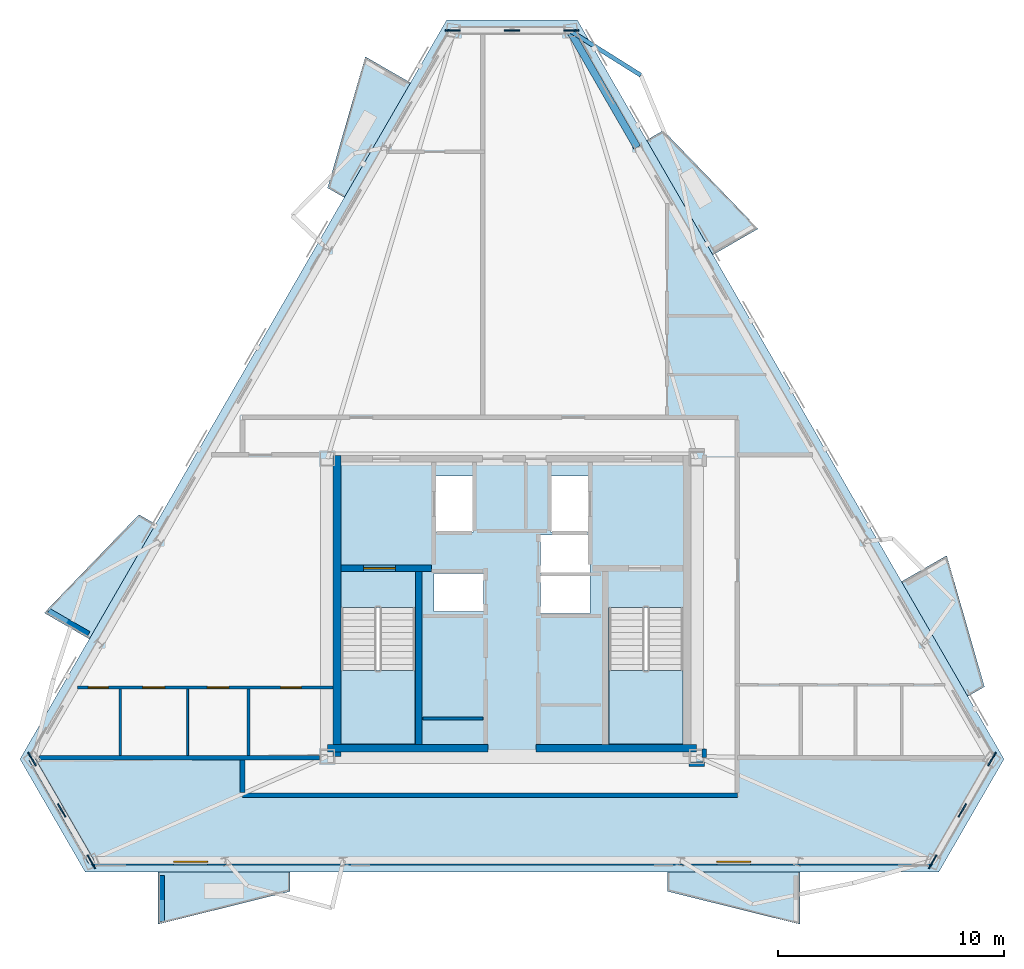
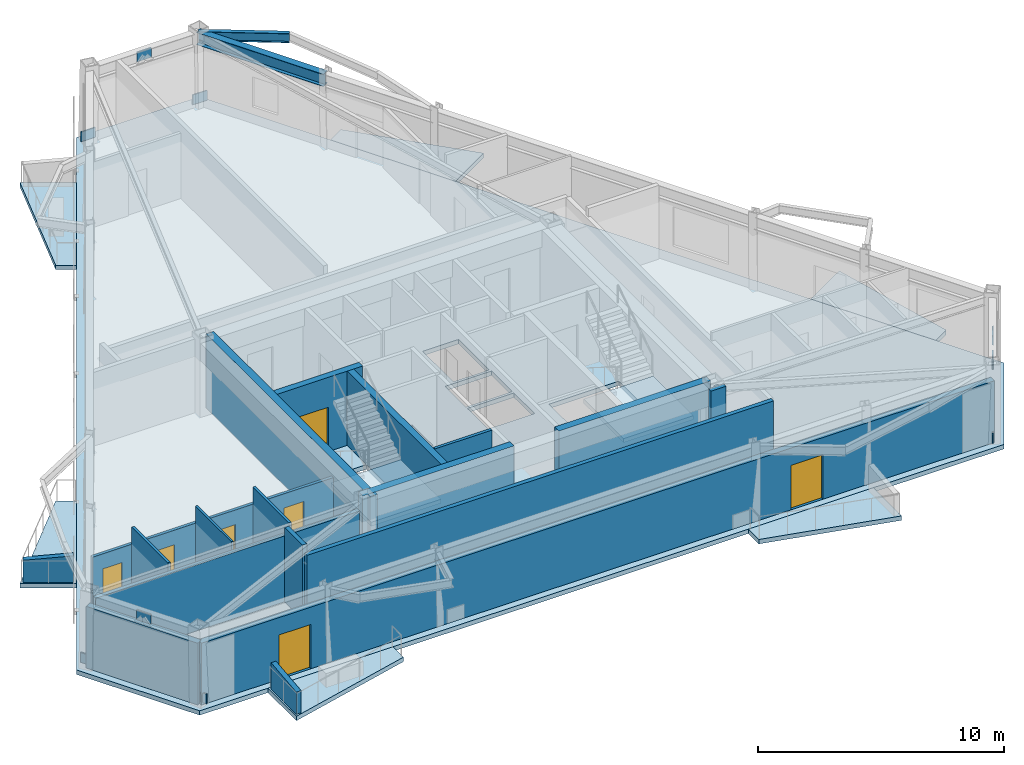
# One storey, part 2 of 9: 19 walls, 9 plates, 9 slabs, 7 doors, 2 beams, 7 openings, 2 elements without a shape of their own.
"""IFC4 building model written with IfcOpenShell, lengths in metres."""

from ifc_helpers import new_model, si_unit, direction, frame, frame_2d, origin, origin_2d, place, context, subcontext, project, spatial, polyline, rectangle, i_section, outline, extrude, material, layer, layer_set, material_profile, profile_set, type_object, element, fill, aggregate, save


model = new_model("IFC4")

# Units and contexts
model_context = context("Model", 3, precision=1e-05, world=origin(), true_north=direction((0.0, 1.0)))
body_context = subcontext(model_context, "Body", "Model", "MODEL_VIEW")
ifc_project = project(units=[si_unit("LENGTHUNIT", "METRE"), si_unit("AREAUNIT", "SQUARE_METRE"), si_unit("VOLUMEUNIT", "CUBIC_METRE"), si_unit("PLANEANGLEUNIT", "RADIAN"), si_unit("MASSUNIT", "GRAM", prefix="KILO")], contexts=[model_context])

# Site, building, storey
site_placement = place(None, origin())
site = spatial("IfcSite", under=ifc_project, at=site_placement, CompositionType="ELEMENT")
building_placement = place(site_placement, origin())
building = spatial("IfcBuilding", under=site, at=building_placement, Name="Oramaril Tower", CompositionType="ELEMENT")
storey_placement = place(building_placement, frame((0.0, 0.0, 257.699951171875)))
storey = spatial("IfcBuildingStorey", under=building, at=storey_placement, Name="L68", CompositionType="ELEMENT", Elevation=257.699951171875)

# Beams
ifc_material_1 = material(Name="Steel ASTM A572 Gr 50", Category="steel")
ifc_material_profile_1 = material_profile(ifc_material_1, i_section(OverallWidth=0.19091796875, OverallDepth=0.45703125, WebThickness=0.009033203125, FlangeThickness=0.014404296875, at=origin_2d()), Name="W18X50")
ifc_profile_set_1 = profile_set([ifc_material_profile_1], Name="Steel ASTM A572 Gr 50")
beam_type_1 = type_object("IfcBeamType", Name="BT-BB1", PredefinedType="BEAM", material=ifc_profile_set_1)
beam_1_placement = place(storey_placement, frame((40.052001953125, 43.05078125, 3.45166015625), z_axis=(0.846798752878, -0.531913406604, 0.0), x_axis=(0.531913406604, 0.846798752878, 0.0)))
element("IfcBeam", 1, at=beam_1_placement, inside=storey, type_object=beam_type_1, Name="L68 Balcony Column-Framed Cantilever 04.2", PredefinedType="BEAM", context=body_context, shape_type="SweptSolid", body=[
    extrude(i_section(OverallWidth=0.19091796875, OverallDepth=0.45703125, WebThickness=0.009033203125, FlangeThickness=0.014404296875, at=origin_2d()), origin(), (0.0, 0.0, 1.0), 3.699951171875),
])
ifc_material_2 = material(Name="Steel ASTM A572 Gr 50", Category="steel")
ifc_material_profile_2 = material_profile(ifc_material_2, i_section(OverallWidth=0.324951171875, OverallDepth=0.612060546875, WebThickness=0.0126953125, FlangeThickness=0.01904296875, at=origin_2d()), Name="W24X104")
ifc_profile_set_2 = profile_set([ifc_material_profile_2], Name="Steel ASTM A572 Gr 50")
beam_type_2 = type_object("IfcBeamType", Name="BT-SP5", PredefinedType="SPANDREL", material=ifc_profile_set_2)
beam_2_placement = place(storey_placement, frame((43.028076171875, 37.896240234375, 3.3740234375), z_axis=(-0.500012421297, 0.866018232227, 0.0), x_axis=(-0.866018232227, -0.500012421297, 0.0)))
element("IfcBeam", 2, at=beam_2_placement, inside=storey, type_object=beam_type_2, Name="L68 Perimeter Spandrel 12", PredefinedType="SPANDREL", context=body_context, shape_type="SweptSolid", body=[
    extrude(i_section(OverallWidth=0.324951171875, OverallDepth=0.612060546875, WebThickness=0.0126953125, FlangeThickness=0.01904296875, at=origin_2d()), origin(), (0.0, 0.0, 1.0), 5.951904296875),
])

# Plates
ifc_material_3 = material(Name="Steel ASTM A572 Gr 50", Category="steel")
ifc_layer_1 = layer(ifc_material_3, 0.06005859375)
ifc_layer_set_1 = layer_set([ifc_layer_1], Name="PLT-G60")
plate_type = type_object("IfcPlateType", Name="PLT-G60", PredefinedType="USERDEFINED", material=ifc_layer_set_1)
for number, where, z_axis, x_axis, name in (
    (3, (17.615966796875, 8.619873046875, 3.134033203125), (0.0, 0.0, 1.0), (0.500009068969, -0.866020167749, 0.0), "L68 Chevron Brace Gusset Plate BN-1"),
    (4, (16.307373046875, 10.885986328125, 0.10009765625), (0.0, 0.0, 1.0), (0.500009068969, -0.866020167749, 0.0), "L68 Chevron Brace Gusset Plate BN-1"),
    (5, (18.92431640625, 6.353515625, 0.10009765625), (0.0, 0.0, 1.0), (0.500009068969, -0.866020167749, 0.0), "L68 Chevron Brace Gusset Plate BN-1"),
    (6, (57.384033203125, 8.619873046875, 3.134033203125), (0.0, 0.0, 1.0), (0.500009068969, 0.866020167749, 0.0), "L68 Chevron Brace Gusset Plate BN-1"),
    (7, (56.07568359375, 6.353515625, 0.10009765625), (0.0, 0.0, 1.0), (0.500009068969, 0.866020167749, 0.0), "L68 Chevron Brace Gusset Plate BN-1"),
    (8, (58.692626953125, 10.885986328125, 0.10009765625), (0.0, 0.0, 1.0), (0.500009068969, 0.866020167749, 0.0), "L68 Chevron Brace Gusset Plate BN-1"),
    (9, (37.5, 43.060302734375, 3.134033203125), (0.0, 0.0, 1.0), (-1.0, 0.0, 0.0), "L68 Chevron Brace Gusset Plate BN-1"),
    (10, (40.11669921875, 43.060302734375, 0.10009765625), (0.0, 0.0, 1.0), (-1.0, 0.0, 0.0), "L68 Chevron Brace Gusset Plate BN-1"),
    (11, (34.88330078125, 43.060302734375, 0.10009765625), (0.0, 0.0, 1.0), (-1.0, 0.0, 0.0), "L68 Chevron Brace Gusset Plate BN-1"),
):
    element("IfcPlate", number, at=place(storey_placement, frame(where, z_axis=z_axis, x_axis=x_axis)), inside=storey, type_object=plate_type, Name=name, ObjectType="GUSSET", PredefinedType="USERDEFINED", context=body_context, shape_type="SweptSolid", body=[
        extrude(rectangle(XDim=0.679931640625, YDim=0.06005859375, at=origin_2d()), origin(), (0.0, 0.0, 1.0), 0.47998046875),
    ])

# Slabs
ifc_material_4 = material(Name="Concrete C40/50", Category="concrete")
ifc_layer_2 = layer(ifc_material_4, 0.199951171875)
ifc_layer_set_2 = layer_set([ifc_layer_2], Name="SLT-BAL20")
slab_type_1 = type_object("IfcSlabType", Name="SLT-BAL20", PredefinedType="FLOOR", material=ifc_layer_set_2)
slab_1_placement = place(storey_placement, frame((0.0, 0.0, -0.219970703125)))
element("IfcSlab", 12, at=slab_1_placement, inside=storey, type_object=slab_type_1, Name="L68 Cantilevered Balcony Slab L68-BAL-S2", PredefinedType="FLOOR", context=body_context, shape_type="SweptSolid", body=[
    extrude(outline(polyline([(44.3662109375, 5.8955078125), (50.21630859375, 5.8955078125), (50.21630859375, 3.593505859375), (44.3662109375, 5.043701171875), (44.3662109375, 5.8955078125)])), origin(), (0.0, 0.0, 1.0), 0.219970703125),
])
slab_2_placement = place(storey_placement, frame((0.0, 0.0, -0.219970703125)))
element("IfcSlab", 13, at=slab_2_placement, inside=storey, type_object=slab_type_1, Name="L68 Cantilevered Balcony Slab L68-BAL-NE1", PredefinedType="FLOOR", context=body_context, shape_type="SweptSolid", body=[
    extrude(outline(polyline([(57.6220703125, 13.656494140625), (54.697021484375, 18.72265625), (56.690673828125, 19.87353515625), (58.35986328125, 14.08251953125), (57.6220703125, 13.656494140625)])), origin(), (0.0, 0.0, 1.0), 0.219970703125),
])
slab_3_placement = place(storey_placement, frame((0.0, 0.0, -0.219970703125)))
element("IfcSlab", 14, at=slab_3_placement, inside=storey, type_object=slab_type_1, Name="L68 Cantilevered Balcony Slab L68-BAL-NW2", PredefinedType="FLOOR", context=body_context, shape_type="SweptSolid", body=[
    extrude(outline(polyline([(21.765380859375, 21.255615234375), (18.84033203125, 16.189453125), (16.8466796875, 17.340576171875), (21.027587890625, 21.681640625), (21.765380859375, 21.255615234375)])), origin(), (0.0, 0.0, 1.0), 0.219970703125),
])
ifc_material_5 = material(Name="Concrete C50/60", Category="concrete")
ifc_layer_3 = layer(ifc_material_5, 0.219970703125)
ifc_layer_set_3 = layer_set([ifc_layer_3], Name="SLT-FLR22")
slab_type_2 = type_object("IfcSlabType", Name="SLT-FLR22", PredefinedType="FLOOR", material=ifc_layer_set_3)
slab_4_placement = place(storey_placement, frame((0.0, 0.0, -0.219970703125)))
element("IfcSlab", 15, at=slab_4_placement, inside=storey, type_object=slab_type_2, Name="L68 Structural Floor Slab", PredefinedType="FLOOR", context=body_context, shape_type="SweptSolid", body=[
    extrude(outline(polyline([(15.776123046875, 10.885986328125), (18.65869140625, 5.8935546875), (56.34130859375, 5.8935546875), (59.223876953125, 10.885986328125), (40.38232421875, 43.520263671875), (34.61767578125, 43.520263671875), (15.776123046875, 10.885986328125)]), holes=[polyline([(29.949951171875, 17.58935546875), (29.949951171875, 11.550048828125), (33.219970703125, 11.550048828125), (33.219970703125, 17.58935546875), (29.949951171875, 17.58935546875)]), polyline([(41.780029296875, 17.58935546875), (41.780029296875, 11.550048828125), (45.050048828125, 11.550048828125), (45.050048828125, 17.58935546875), (41.780029296875, 17.58935546875)]), polyline([(34.110107421875, 20.909912109375), (35.7900390625, 20.909912109375), (35.7900390625, 23.389892578125), (34.110107421875, 23.389892578125), (34.110107421875, 20.909912109375)]), polyline([(39.2099609375, 20.909912109375), (40.889892578125, 20.909912109375), (40.889892578125, 23.389892578125), (39.2099609375, 23.389892578125), (39.2099609375, 20.909912109375)]), polyline([(34.06005859375, 17.409912109375), (36.239990234375, 17.409912109375), (36.239990234375, 19.090087890625), (34.06005859375, 19.090087890625), (34.06005859375, 17.409912109375)]), polyline([(38.760009765625, 17.31005859375), (40.93994140625, 17.31005859375), (40.93994140625, 18.989990234375), (38.760009765625, 18.989990234375), (38.760009765625, 17.31005859375)]), polyline([(38.760009765625, 19.110107421875), (40.93994140625, 19.110107421875), (40.93994140625, 20.7900390625), (38.760009765625, 20.7900390625), (38.760009765625, 19.110107421875)])]), origin(), (0.0, 0.0, 1.0), 0.219970703125),
])

# Stair, slab
ifc_material_6 = material(Name="Concrete C50/60", Category="concrete")
stair_type = type_object("IfcStairType", Name="STT-DG-3900", PredefinedType="HALF_TURN_STAIR", material=ifc_material_6)
stair_1_placement = place(storey_placement, origin())
stair_1 = element("IfcStair", 16, at=stair_1_placement, inside=storey, type_object=stair_type, Name="L68 Protected PFP Exit Stair ST-1", PredefinedType="HALF_TURN_STAIR")
ifc_material_7 = material(Name="Concrete C50/60", Category="concrete")
ifc_layer_4 = layer(ifc_material_7, 0.199951171875)
ifc_layer_set_4 = layer_set([ifc_layer_4], Name="SLT-LND20")
slab_type_3 = type_object("IfcSlabType", Name="SLT-LND20", PredefinedType="LANDING", material=ifc_layer_set_4)
slab_5_placement = place(storey_placement, frame((0.0, 0.0, 1.75)))
slab_5 = element("IfcSlab", 17, at=slab_5_placement, type_object=slab_type_3, Name="ST-1 landing 1", PredefinedType="LANDING", context=body_context, shape_type="SweptSolid", body=[
    extrude(outline(polyline([(29.949951171875, 14.7900390625), (29.949951171875, 11.550048828125), (33.219970703125, 11.550048828125), (33.219970703125, 14.7900390625), (29.949951171875, 14.7900390625)])), origin(), (0.0, 0.0, 1.0), 0.199951171875),
])
aggregate(stair_1, [slab_5])

stair_2_placement = place(storey_placement, origin())
stair_2 = element("IfcStair", 18, at=stair_2_placement, inside=storey, type_object=stair_type, Name="L68 Protected PFP Exit Stair ST-2", PredefinedType="HALF_TURN_STAIR")
slab_6_placement = place(storey_placement, frame((0.0, 0.0, 1.75)))
slab_6 = element("IfcSlab", 19, at=slab_6_placement, type_object=slab_type_3, Name="ST-2 landing 1", PredefinedType="LANDING", context=body_context, shape_type="SweptSolid", body=[
    extrude(outline(polyline([(41.780029296875, 14.7900390625), (41.780029296875, 11.550048828125), (45.050048828125, 11.550048828125), (45.050048828125, 14.7900390625), (41.780029296875, 14.7900390625)])), origin(), (0.0, 0.0, 1.0), 0.199951171875),
])
aggregate(stair_2, [slab_6])

# Slabs
ifc_material_8 = material(Name="Concrete C40/50", Category="concrete")
ifc_layer_5 = layer(ifc_material_8, 0.18994140625)
ifc_layer_set_5 = layer_set([ifc_layer_5], Name="SLT-PLN19")
slab_type_4 = type_object("IfcSlabType", Name="SLT-PLN19", PredefinedType="FLOOR", material=ifc_layer_set_5)
slab_7_placement = place(storey_placement, frame((0.0, 0.0, -0.219970703125)))
element("IfcSlab", 20, at=slab_7_placement, inside=storey, type_object=slab_type_4, Name="L68 Tree Planter Balcony Slab L68-BAL-S1", PredefinedType="FLOOR", context=body_context, shape_type="SweptSolid", body=[
    extrude(outline(polyline([(21.858642578125, 5.8955078125), (27.708740234375, 5.8955078125), (27.708740234375, 5.043701171875), (21.858642578125, 3.593505859375), (21.858642578125, 5.8955078125)])), origin(), (0.0, 0.0, 1.0), 0.219970703125),
])
slab_8_placement = place(storey_placement, frame((0.0, 0.0, -0.219970703125)))
element("IfcSlab", 21, at=slab_8_placement, inside=storey, type_object=slab_type_4, Name="L68 Tree Planter Balcony Slab L68-BAL-NE2", PredefinedType="FLOOR", context=body_context, shape_type="SweptSolid", body=[
    extrude(outline(polyline([(46.3681640625, 33.148681640625), (43.443115234375, 38.21484375), (44.180908203125, 38.640869140625), (48.36181640625, 34.2998046875), (46.3681640625, 33.148681640625)])), origin(), (0.0, 0.0, 1.0), 0.219970703125),
])
slab_9_placement = place(storey_placement, frame((0.0, 0.0, -0.219970703125)))
element("IfcSlab", 22, at=slab_9_placement, inside=storey, type_object=slab_type_4, Name="L68 Tree Planter Balcony Slab L68-BAL-NW1", PredefinedType="FLOOR", context=body_context, shape_type="SweptSolid", body=[
    extrude(outline(polyline([(33.019287109375, 40.748046875), (30.09423828125, 35.681884765625), (29.3564453125, 36.10791015625), (31.025634765625, 41.89892578125), (33.019287109375, 40.748046875)])), origin(), (0.0, 0.0, 1.0), 0.219970703125),
])

# Wall
ifc_material_9 = material(Name="Warm Cream Limestone", Category="masonry")
ifc_layer_6 = layer(ifc_material_9, 0.2900390625)
ifc_layer_set_6 = layer_set([ifc_layer_6], Name="WT-EXT29")
wall_type_1 = type_object("IfcWallType", Name="WT-EXT29", PredefinedType="SOLIDWALL", material=ifc_layer_set_6)
wall_1_placement = place(storey_placement, frame((16.307373046875, 10.885986328125, 0.0), z_axis=(0.0, 0.0, 1.0), x_axis=(0.500017221754, -0.866015460572, 0.0)))
element("IfcWall", 23, at=wall_1_placement, inside=storey, type_object=wall_type_1, Name="L68 Tower Limestone Facade Wall 1M", PredefinedType="SOLIDWALL", context=body_context, shape_type="SweptSolid", body=[
    extrude(rectangle(XDim=5.233642578125, YDim=0.2900390625, at=frame_2d((2.61669921875, 0.0))), origin(), (0.0, 0.0, 1.0), 3.05810546875),
])

# Wall, openings, doors
wall_2_placement = place(storey_placement, frame((18.92431640625, 6.353515625, 0.0), z_axis=(0.0, 0.0, 1.0), x_axis=(1.0, 0.0, 0.0)))
wall_2 = element("IfcWall", 24, at=wall_2_placement, inside=storey, type_object=wall_type_1, Name="L68 Tower Limestone Facade Wall 2M", PredefinedType="SOLIDWALL", context=body_context, shape_type="SweptSolid", body=[
    extrude(rectangle(XDim=37.1513671875, YDim=0.2900390625, at=frame_2d((18.57568359375, 0.0))), origin(), (0.0, 0.0, 1.0), 3.05810546875),
])
opening_1_placement = place(wall_2_placement, frame((3.639404296875, 0.0, 0.0)))
opening_1 = element("IfcOpeningElement", 25, at=opening_1_placement, cuts=wall_2, Name="Opening D-L68-BAL-S1", PredefinedType="OPENING", context=body_context, shape_type="SweptSolid", body=[
    extrude(rectangle(XDim=1.5, YDim=2.199951171875, at=frame_2d((0.75, 1.10009765625))), frame((0.0, 0.14501953125, 0.0), z_axis=(0.0, -1.0, 0.0), x_axis=(1.0, 0.0, 0.0)), (0.0, 0.0, 1.0), 0.2900390625),
])
opening_2_placement = place(wall_2_placement, frame((27.616943359375, 0.0, 0.0)))
opening_2 = element("IfcOpeningElement", 26, at=opening_2_placement, cuts=wall_2, Name="Opening D-L68-BAL-S2", PredefinedType="OPENING", context=body_context, shape_type="SweptSolid", body=[
    extrude(rectangle(XDim=1.5, YDim=2.199951171875, at=frame_2d((0.75, 1.10009765625))), frame((0.0, 0.14501953125, 0.0), z_axis=(0.0, -1.0, 0.0), x_axis=(1.0, 0.0, 0.0)), (0.0, 0.0, 1.0), 0.2900390625),
])
ifc_material_10 = material(Name="Anodised Aluminium 6063-T6", Category="aluminium")
door_type_1 = type_object("IfcDoorType", Name="DT-BAL", OperationType="NOTDEFINED", PredefinedType="DOOR", material=ifc_material_10)
door_1_placement = place(opening_1_placement, origin())
door_1 = element("IfcDoor", 27, at=door_1_placement, inside=storey, type_object=door_type_1, Name="L68 Balcony Glazed Door L68-BAL-S1", OperationType="SINGLE_SWING_LEFT", OverallHeight=2.199951171875, OverallWidth=1.5, PredefinedType="DOOR", context=body_context, shape_type="SweptSolid", body=[
    extrude(rectangle(XDim=1.5, YDim=2.199951171875, at=frame_2d((0.75, 1.10009765625))), frame((0.0, 0.02490234375, 0.0), z_axis=(0.0, -1.0, 0.0), x_axis=(1.0, 0.0, 0.0)), (0.0, 0.0, 1.0), 0.050048828125),
])
fill(opening_1, door_1)
door_2_placement = place(opening_2_placement, origin())
door_2 = element("IfcDoor", 28, at=door_2_placement, inside=storey, type_object=door_type_1, Name="L68 Balcony Glazed Door L68-BAL-S2", OperationType="SINGLE_SWING_RIGHT", OverallHeight=2.199951171875, OverallWidth=1.5, PredefinedType="DOOR", context=body_context, shape_type="SweptSolid", body=[
    extrude(rectangle(XDim=1.5, YDim=2.199951171875, at=frame_2d((0.75, 1.10009765625))), frame((0.0, 0.02490234375, 0.0), z_axis=(0.0, -1.0, 0.0), x_axis=(1.0, 0.0, 0.0)), (0.0, 0.0, 1.0), 0.050048828125),
])
fill(opening_2, door_2)

# Walls
ifc_material_11 = material(Name="Concrete C40/50", Category="concrete")
ifc_layer_7 = layer(ifc_material_11, 0.22998046875)
ifc_layer_set_7 = layer_set([ifc_layer_7], Name="WT-PRP23")
wall_type_2 = type_object("IfcWallType", Name="WT-PRP23", PredefinedType="PARAPET", material=ifc_layer_set_7)
for number, where, z_axis, x_axis, name in (
    (29, (22.038818359375, 5.755615234375, 0.0), (0.0, 0.0, 1.0), (0.0, -1.0, 0.0), "L68 Trapezoidal Balcony Frame Cheek L68-BAL-S1-L"),
    (30, (18.80908203125, 16.415283203125, 0.0), (0.0, 0.0, 1.0), (-0.866012356593, 0.500022597718, 0.0), "L68 Trapezoidal Balcony Frame Cheek L68-BAL-NW2-R"),
):
    element("IfcWall", number, at=place(storey_placement, frame(where, z_axis=z_axis, x_axis=x_axis)), inside=storey, type_object=wall_type_2, Name=name, PredefinedType="PARAPET", context=body_context, shape_type="SweptSolid", body=[
        extrude(outline(polyline([(0.0, 0.0), (2.0419921875, 0.0), (2.0419921875, 1.10009765625), (0.0, 1.320068359375), (0.0, 0.0)])), frame((0.0, 0.114990234375, 0.0), z_axis=(0.0, -1.0, 0.0), x_axis=(1.0, 0.0, 0.0)), (0.0, 0.0, 1.0), 0.22998046875),
    ])
ifc_material_12 = material(Name="Acoustic Gypsum Board Partition")
ifc_layer_8 = layer(ifc_material_12, 0.10009765625)
ifc_layer_set_8 = layer_set([ifc_layer_8], Name="WT-PT10")
wall_type_3 = type_object("IfcWallType", Name="WT-PT10", PredefinedType="PARTITIONING", material=ifc_layer_set_8)
wall_3_placement = place(storey_placement, frame((23.169921875, 11.053955078125, 0.0), z_axis=(0.0, 0.0, 1.0), x_axis=(0.0, 1.0, 0.0)))
element("IfcWall", 31, at=wall_3_placement, inside=storey, type_object=wall_type_3, Name="L68 Interior Partition PT-10", PredefinedType="PARTITIONING", context=body_context, shape_type="SweptSolid", body=[
    extrude(rectangle(XDim=2.922119140625, YDim=0.10009765625, at=frame_2d((1.4609375, 0.0))), origin(), (0.0, 0.0, 1.0), 3.679931640625),
])
ifc_material_13 = material(Name="Acoustic Gypsum Board Partition")
ifc_layer_9 = layer(ifc_material_13, 0.1201171875)
ifc_layer_set_9 = layer_set([ifc_layer_9], Name="WT-PT12")
wall_type_4 = type_object("IfcWallType", Name="WT-PT12", PredefinedType="PARTITIONING", material=ifc_layer_set_9)
for number, where, z_axis, x_axis, name in (
    (32, (20.199951171875, 11.053955078125, 0.0), (0.0, 0.0, 1.0), (0.0, 1.0, 0.0), "L68 Interior Partition PT-12"),
    (33, (25.8701171875, 11.053955078125, 0.0), (0.0, 0.0, 1.0), (0.0, 1.0, 0.0), "L68 Interior Partition PT-12"),
):
    element("IfcWall", number, at=place(storey_placement, frame(where, z_axis=z_axis, x_axis=x_axis)), inside=storey, type_object=wall_type_4, Name=name, PredefinedType="PARTITIONING", context=body_context, shape_type="SweptSolid", body=[
        extrude(rectangle(XDim=2.922119140625, YDim=0.1201171875, at=frame_2d((1.4609375, 0.0))), origin(), (0.0, 0.0, 1.0), 3.679931640625),
    ])
ifc_material_14 = material(Name="Acoustic Gypsum Board Partition")
ifc_layer_10 = layer(ifc_material_14, 0.139892578125)
ifc_layer_set_10 = layer_set([ifc_layer_10], Name="WT-PT14")
wall_type_5 = type_object("IfcWallType", Name="WT-PT14", PredefinedType="PARTITIONING", material=ifc_layer_set_10)
wall_4_placement = place(storey_placement, frame((33.56005859375, 12.679931640625, 0.0), z_axis=(0.0, 0.0, 1.0), x_axis=(1.0, 0.0, 0.0)))
element("IfcWall", 34, at=wall_4_placement, inside=storey, type_object=wall_type_5, Name="L68 Freed Shaft South Closure", PredefinedType="PARTITIONING", context=body_context, shape_type="SweptSolid", body=[
    extrude(rectangle(XDim=2.659912109375, YDim=0.139892578125, at=frame_2d((1.330078125, 0.0))), origin(), (0.0, 0.0, 1.0), 3.679931640625),
])

# Wall, openings, doors
wall_5_placement = place(storey_placement, frame((18.30615234375, 14.050048828125, 0.0), z_axis=(0.0, 0.0, 1.0), x_axis=(1.0, 0.0, 0.0)))
wall_5 = element("IfcWall", 35, at=wall_5_placement, inside=storey, type_object=wall_type_5, Name="L68 Interior Partition PT-14", PredefinedType="PARTITIONING", context=body_context, shape_type="SweptSolid", body=[
    extrude(rectangle(XDim=11.27978515625, YDim=0.139892578125, at=frame_2d((5.639892578125, 0.0))), origin(), (0.0, 0.0, 1.0), 2.820068359375),
])
opening_3_placement = place(wall_5_placement, frame((0.4912109375, 0.0, 0.0)))
opening_3 = element("IfcOpeningElement", 36, at=opening_3_placement, cuts=wall_5, Name="Opening D-L68-01", PredefinedType="OPENING", context=body_context, shape_type="SweptSolid", body=[
    extrude(rectangle(XDim=0.8798828125, YDim=2.080078125, at=frame_2d((0.43994140625, 1.0400390625))), frame((0.0, 0.06982421875, 0.0), z_axis=(0.0, -1.0, 0.0), x_axis=(1.0, 0.0, 0.0)), (0.0, 0.0, 1.0), 0.139892578125),
])
opening_4_placement = place(wall_5_placement, frame((2.900390625, 0.0, 0.0)))
opening_4 = element("IfcOpeningElement", 37, at=opening_4_placement, cuts=wall_5, Name="Opening D-L68-02", PredefinedType="OPENING", context=body_context, shape_type="SweptSolid", body=[
    extrude(rectangle(XDim=0.949951171875, YDim=2.10009765625, at=frame_2d((0.47509765625, 1.050048828125))), frame((0.0, 0.06982421875, 0.0), z_axis=(0.0, -1.0, 0.0), x_axis=(1.0, 0.0, 0.0)), (0.0, 0.0, 1.0), 0.139892578125),
])
opening_5_placement = place(wall_5_placement, frame((5.73779296875, 0.0, 0.0)))
opening_5 = element("IfcOpeningElement", 38, at=opening_5_placement, cuts=wall_5, Name="Opening D-L68-03", PredefinedType="OPENING", context=body_context, shape_type="SweptSolid", body=[
    extrude(rectangle(XDim=0.949951171875, YDim=2.10009765625, at=frame_2d((0.47509765625, 1.050048828125))), frame((0.0, 0.06982421875, 0.0), z_axis=(0.0, -1.0, 0.0), x_axis=(1.0, 0.0, 0.0)), (0.0, 0.0, 1.0), 0.139892578125),
])
opening_6_placement = place(wall_5_placement, frame((8.97509765625, 0.0, 0.0)))
opening_6 = element("IfcOpeningElement", 39, at=opening_6_placement, cuts=wall_5, Name="Opening D-L68-04", PredefinedType="OPENING", context=body_context, shape_type="SweptSolid", body=[
    extrude(rectangle(XDim=0.919921875, YDim=2.1201171875, at=frame_2d((0.4599609375, 1.06005859375))), frame((0.0, 0.06982421875, 0.0), z_axis=(0.0, -1.0, 0.0), x_axis=(1.0, 0.0, 0.0)), (0.0, 0.0, 1.0), 0.139892578125),
])
ifc_material_15 = material(Name="FSC Brazilian Freijo Hardwood", Category="wood")
door_type_2 = type_object("IfcDoorType", Name="DT-BATH", OperationType="NOTDEFINED", PredefinedType="DOOR", material=ifc_material_15)
door_3_placement = place(opening_3_placement, origin())
door_3 = element("IfcDoor", 40, at=door_3_placement, inside=storey, type_object=door_type_2, Name="L68 Flat L68-U2 Bathroom Door D-L68-01", OperationType="SINGLE_SWING_RIGHT", OverallHeight=2.080078125, OverallWidth=0.8798828125, PredefinedType="DOOR", context=body_context, shape_type="SweptSolid", body=[
    extrude(rectangle(XDim=0.8798828125, YDim=2.080078125, at=frame_2d((0.43994140625, 1.0400390625))), frame((0.0, 0.02490234375, 0.0), z_axis=(0.0, -1.0, 0.0), x_axis=(1.0, 0.0, 0.0)), (0.0, 0.0, 1.0), 0.050048828125),
])
fill(opening_3, door_3)
ifc_material_16 = material(Name="FSC Brazilian Freijo Hardwood", Category="wood")
door_type_3 = type_object("IfcDoorType", Name="DT-BED", OperationType="NOTDEFINED", PredefinedType="DOOR", material=ifc_material_16)
door_4_placement = place(opening_6_placement, origin())
door_4 = element("IfcDoor", 41, at=door_4_placement, inside=storey, type_object=door_type_3, Name="L68 Flat L68-U2 Master Bedroom Door D-L68-04", OperationType="SINGLE_SWING_LEFT", OverallHeight=2.1201171875, OverallWidth=0.919921875, PredefinedType="DOOR", context=body_context, shape_type="SweptSolid", body=[
    extrude(rectangle(XDim=0.919921875, YDim=2.1201171875, at=frame_2d((0.4599609375, 1.06005859375))), frame((0.0, 0.02490234375, 0.0), z_axis=(0.0, -1.0, 0.0), x_axis=(1.0, 0.0, 0.0)), (0.0, 0.0, 1.0), 0.050048828125),
])
fill(opening_6, door_4)
ifc_material_17 = material(Name="FSC Brazilian Freijo Hardwood", Category="wood")
door_type_4 = type_object("IfcDoorType", Name="DT-STDY", OperationType="NOTDEFINED", PredefinedType="DOOR", material=ifc_material_17)
door_5_placement = place(opening_4_placement, origin())
door_5 = element("IfcDoor", 42, at=door_5_placement, inside=storey, type_object=door_type_4, Name="L68 Flat L68-U2 Kitchen Door D-L68-02", OperationType="SINGLE_SWING_LEFT", OverallHeight=2.10009765625, OverallWidth=0.949951171875, PredefinedType="DOOR", context=body_context, shape_type="SweptSolid", body=[
    extrude(rectangle(XDim=0.949951171875, YDim=2.10009765625, at=frame_2d((0.47509765625, 1.050048828125))), frame((0.0, 0.02490234375, 0.0), z_axis=(0.0, -1.0, 0.0), x_axis=(1.0, 0.0, 0.0)), (0.0, 0.0, 1.0), 0.050048828125),
])
fill(opening_4, door_5)
door_6_placement = place(opening_5_placement, origin())
door_6 = element("IfcDoor", 43, at=door_6_placement, inside=storey, type_object=door_type_4, Name="L68 Flat L68-U2 Reading Study Door D-L68-03", OperationType="SINGLE_SWING_RIGHT", OverallHeight=2.10009765625, OverallWidth=0.949951171875, PredefinedType="DOOR", context=body_context, shape_type="SweptSolid", body=[
    extrude(rectangle(XDim=0.949951171875, YDim=2.10009765625, at=frame_2d((0.47509765625, 1.050048828125))), frame((0.0, 0.02490234375, 0.0), z_axis=(0.0, -1.0, 0.0), x_axis=(1.0, 0.0, 0.0)), (0.0, 0.0, 1.0), 0.050048828125),
])
fill(opening_5, door_6)

# Walls
ifc_material_18 = material(Name="Autoclaved Cellular Concrete Block", Category="concrete")
ifc_layer_11 = layer(ifc_material_18, 0.199951171875)
ifc_layer_set_11 = layer_set([ifc_layer_11], Name="WT-PT20")
wall_type_6 = type_object("IfcWallType", Name="WT-PT20", PredefinedType="PARTITIONING", material=ifc_layer_set_11)
wall_6_placement = place(storey_placement, frame((25.60009765625, 9.300048828125, 0.0), z_axis=(0.0, 0.0, 1.0), x_axis=(1.0, 0.0, 0.0)))
element("IfcWall", 44, at=wall_6_placement, inside=storey, type_object=wall_type_6, Name="L68 Interior Partition PT-20", PredefinedType="PARTITIONING", context=body_context, shape_type="SweptSolid", body=[
    extrude(rectangle(XDim=21.849853515625, YDim=0.199951171875, at=frame_2d((10.9248046875, 0.0))), origin(), (0.0, 0.0, 1.0), 3.26611328125),
])
wall_7_placement = place(storey_placement, frame((45.304931640625, 10.64990234375, 0.0), z_axis=(0.0, 0.0, 1.0), x_axis=(1.0, 0.0, 0.0)))
element("IfcWall", 45, at=wall_7_placement, inside=storey, type_object=wall_type_6, Name="L68 Interior Partition PT-20", PredefinedType="PARTITIONING", context=body_context, shape_type="SweptSolid", body=[
    extrude(rectangle(XDim=0.690185546875, YDim=0.199951171875, at=frame_2d((0.34521484375, 0.0))), origin(), (0.0, 0.0, 1.0), 3.679931640625),
])
wall_8_placement = place(storey_placement, frame((16.642578125, 10.949951171875, 0.0), z_axis=(0.0, 0.0, 1.0), x_axis=(1.0, 0.0, 0.0)))
element("IfcWall", 46, at=wall_8_placement, inside=storey, type_object=wall_type_6, Name="L68 Interior Partition PT-20", PredefinedType="PARTITIONING", context=body_context, shape_type="SweptSolid", body=[
    extrude(rectangle(XDim=12.367431640625, YDim=0.199951171875, at=frame_2d((6.18359375, 0.0))), origin(), (0.0, 0.0, 1.0), 3.26611328125),
])
wall_9_placement = place(storey_placement, frame((25.60009765625, 9.404052734375, 0.0), z_axis=(0.0, 0.0, 1.0), x_axis=(0.0, 1.0, 0.0)))
element("IfcWall", 47, at=wall_9_placement, inside=storey, type_object=wall_type_6, Name="L68 Interior Partition PT-20", PredefinedType="PARTITIONING", context=body_context, shape_type="SweptSolid", body=[
    extrude(rectangle(XDim=1.44189453125, YDim=0.199951171875, at=frame_2d((0.720947265625, 0.0))), origin(), (0.0, 0.0, 1.0), 3.679931640625),
])
wall_10_placement = place(storey_placement, frame((45.989990234375, 10.949951171875, 0.0), z_axis=(0.0, 0.0, 1.0), x_axis=(0.0, 1.0, 0.0)))
element("IfcWall", 48, at=wall_10_placement, inside=storey, type_object=wall_type_6, Name="L68 Interior Partition PT-20", PredefinedType="PARTITIONING", context=body_context, shape_type="SweptSolid", body=[
    extrude(rectangle(XDim=0.39013671875, YDim=0.199951171875, at=frame_2d((0.195068359375, 0.0))), origin(), (0.0, 0.0, 1.0), 3.26611328125),
])

# Wall, opening, door
ifc_material_19 = material(Name="Concrete C50/60", Category="concrete")
ifc_layer_12 = layer(ifc_material_19, 0.300048828125)
ifc_layer_set_12 = layer_set([ifc_layer_12], Name="WT-SH30")
wall_type_7 = type_object("IfcWallType", Name="WT-SH30", PredefinedType="SHEAR", material=ifc_layer_set_12)
wall_11_placement = place(storey_placement, frame((29.93994140625, 19.31005859375, 0.0), z_axis=(0.0, 0.0, 1.0), x_axis=(1.0, 0.0, 0.0)))
wall_11 = element("IfcWall", 49, at=wall_11_placement, inside=storey, type_object=wall_type_7, Name="L68 Core Shear Wall CW-ST1N", PredefinedType="SHEAR", context=body_context, shape_type="SweptSolid", body=[
    extrude(rectangle(XDim=4.010009765625, YDim=0.300048828125, at=frame_2d((2.0048828125, 0.0))), origin(), (0.0, 0.0, 1.0), 3.679931640625),
])
opening_7_placement = place(wall_11_placement, frame((1.010009765625, 0.0, 0.0)))
opening_7 = element("IfcOpeningElement", 50, at=opening_7_placement, cuts=wall_11, Name="Opening D-L68-ST1", PredefinedType="OPENING", context=body_context, shape_type="SweptSolid", body=[
    extrude(rectangle(XDim=1.39990234375, YDim=2.199951171875, at=frame_2d((0.699951171875, 1.10009765625))), frame((0.0, 0.14990234375, 0.0), z_axis=(0.0, -1.0, 0.0), x_axis=(1.0, 0.0, 0.0)), (0.0, 0.0, 1.0), 0.300048828125),
])
ifc_material_20 = material(Name="Painted Galvanised Steel", Category="steel")
door_type_5 = type_object("IfcDoorType", Name="DT-ST", OperationType="NOTDEFINED", PredefinedType="DOOR", material=ifc_material_20)
door_7_placement = place(opening_7_placement, origin())
door_7 = element("IfcDoor", 51, at=door_7_placement, inside=storey, type_object=door_type_5, Name="L68 Protected Stair ST-1 Fire Door", OperationType="SINGLE_SWING_LEFT", OverallHeight=2.199951171875, OverallWidth=1.39990234375, PredefinedType="DOOR", context=body_context, shape_type="SweptSolid", body=[
    extrude(rectangle(XDim=1.39990234375, YDim=2.199951171875, at=frame_2d((0.699951171875, 1.10009765625))), frame((0.0, 0.02490234375, 0.0), z_axis=(0.0, -1.0, 0.0), x_axis=(1.0, 0.0, 0.0)), (0.0, 0.0, 1.0), 0.050048828125),
])
fill(opening_7, door_7)

# Walls
wall_12_placement = place(storey_placement, frame((33.3798828125, 11.5400390625, 0.0), z_axis=(0.0, 0.0, 1.0), x_axis=(0.0, 1.0, 0.0)))
element("IfcWall", 52, at=wall_12_placement, inside=storey, type_object=wall_type_7, Name="L68 Core Shear Wall CW-ST1E", PredefinedType="SHEAR", context=body_context, shape_type="SweptSolid", body=[
    extrude(rectangle(XDim=7.619873046875, YDim=0.300048828125, at=frame_2d((3.81005859375, 0.0))), origin(), (0.0, 0.0, 1.0), 3.679931640625),
])
ifc_material_21 = material(Name="Concrete C50/60", Category="concrete")
ifc_layer_13 = layer(ifc_material_21, 0.35009765625)
ifc_layer_set_13 = layer_set([ifc_layer_13], Name="WT-SH35")
wall_type_8 = type_object("IfcWallType", Name="WT-SH35", PredefinedType="SHEAR", material=ifc_layer_set_13)
wall_13_placement = place(storey_placement, frame((29.764892578125, 11.0, 0.0), z_axis=(0.0, 0.0, 1.0), x_axis=(0.0, 1.0, 0.0)))
element("IfcWall", 53, at=wall_13_placement, inside=storey, type_object=wall_type_8, Name="L68 Core Shear Wall CW-W", PredefinedType="SHEAR", context=body_context, shape_type="SweptSolid", body=[
    extrude(rectangle(XDim=13.300048828125, YDim=0.35009765625, at=frame_2d((6.64990234375, 0.0))), origin(), (0.0, 0.0, 1.0), 3.679931640625),
])
for number, where, z_axis, x_axis, name in (
    (54, (29.35009765625, 11.364990234375, 0.0), (0.0, 0.0, 1.0), (1.0, 0.0, 0.0), "L68 Core Shear Wall CW-SW"),
    (55, (38.550048828125, 11.364990234375, 0.0), (0.0, 0.0, 1.0), (1.0, 0.0, 0.0), "L68 Core Shear Wall CW-SE"),
):
    element("IfcWall", number, at=place(storey_placement, frame(where, z_axis=z_axis, x_axis=x_axis)), inside=storey, type_object=wall_type_8, Name=name, PredefinedType="SHEAR", context=body_context, shape_type="SweptSolid", body=[
        extrude(rectangle(XDim=7.099853515625, YDim=0.35009765625, at=frame_2d((3.5498046875, 0.0))), origin(), (0.0, 0.0, 1.0), 3.679931640625),
    ])

save(model, "model.ifc")
